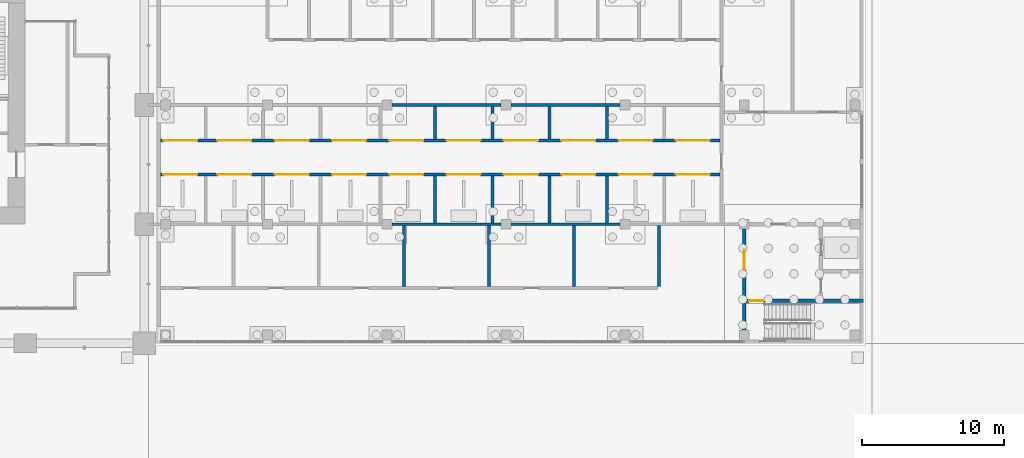
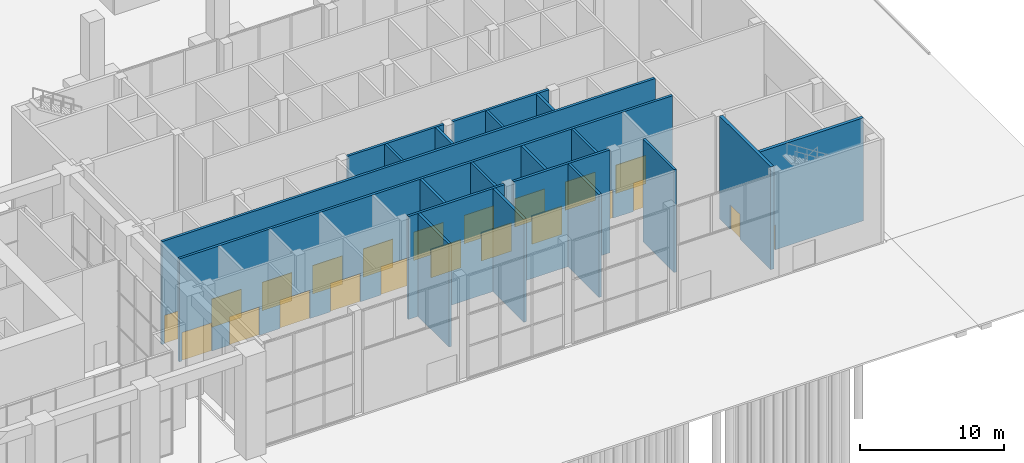
# One storey, part 24 of 46: 22 doors, 20 walls, 22 openings.
"""IFC4 building model written with IfcOpenShell, lengths in metres."""

from ifc_helpers import new_model, si_unit, direction, frame, frame_2d, origin, place, context, subcontext, project, spatial, rectangle, extrude, material, layer, layer_set, type_object, element, fill, save


model = new_model("IFC4")

# Units and contexts
model_context = context("Model", 3, precision=1e-05, world=origin(), true_north=direction((0.0, 1.0)))
body_context = subcontext(model_context, "Body", "Model", "MODEL_VIEW")
ifc_project = project(units=[si_unit("LENGTHUNIT", "METRE"), si_unit("AREAUNIT", "SQUARE_METRE"), si_unit("VOLUMEUNIT", "CUBIC_METRE"), si_unit("PLANEANGLEUNIT", "RADIAN"), si_unit("MASSUNIT", "GRAM", prefix="KILO")], contexts=[model_context])

# Site, building, storey
site_placement = place(None, origin())
site = spatial("IfcSite", under=ifc_project, at=site_placement, CompositionType="ELEMENT")
building_placement = place(site_placement, origin())
building = spatial("IfcBuilding", under=site, at=building_placement, Name="Vermilion Gate Residences", CompositionType="ELEMENT")
storey_placement = place(building_placement, origin())
storey = spatial("IfcBuildingStorey", under=building, at=storey_placement, Name="L00", CompositionType="ELEMENT", Elevation=0.0)

# Walls
ifc_material_1 = material(Name="Masonry", Category="masonry")
ifc_layer_1 = layer(ifc_material_1, 0.199951171875)
ifc_layer_set_1 = layer_set([ifc_layer_1], Name="PARTITION 200 MASONRY EI 60 (MARKET HALL)")
wall_type_1 = type_object("IfcWallType", Name="PARTITION 200 MASONRY EI 60 (MARKET HALL)", PredefinedType="PARTITIONING", material=ifc_layer_set_1)
wall_1_placement = place(storey_placement, frame((84.64990234375, 8.39990234375, 0.0), z_axis=(0.0, 0.0, 1.0), x_axis=(1.0, 0.0, 0.0)))
element("IfcWall", 1, at=wall_1_placement, inside=storey, type_object=wall_type_1, Name="Partition wall L00-13", PredefinedType="PARTITIONING", context=body_context, shape_type="SweptSolid", body=[
    extrude(rectangle(XDim=7.7001953125, YDim=0.199951171875, at=frame_2d((3.85009765625, 0.0))), origin(), (0.0, 0.0, 1.0), 8.699951171875),
])
wall_2_placement = place(storey_placement, frame((93.050048828125, 8.39990234375, 0.0), z_axis=(0.0, 0.0, 1.0), x_axis=(1.0, 0.0, 0.0)))
element("IfcWall", 2, at=wall_2_placement, inside=storey, type_object=wall_type_1, Name="Partition wall L00-14", PredefinedType="PARTITIONING", context=body_context, shape_type="SweptSolid", body=[
    extrude(rectangle(XDim=7.699951171875, YDim=0.199951171875, at=frame_2d((3.85009765625, 0.0))), origin(), (0.0, 0.0, 1.0), 8.699951171875),
])

# Wall, openings, doors
wall_3_placement = place(storey_placement, frame((68.35009765625, 11.89990234375, 0.0), z_axis=(0.0, 0.0, 1.0), x_axis=(1.0, 0.0, 0.0)))
wall_3 = element("IfcWall", 3, at=wall_3_placement, inside=storey, type_object=wall_type_1, Name="Partition wall L00-17", PredefinedType="PARTITIONING", context=body_context, shape_type="SweptSolid", body=[
    extrude(rectangle(XDim=39.449951171875, YDim=0.199951171875, at=frame_2d((19.72509765625, 0.0))), origin(), (0.0, 0.0, 1.0), 8.699951171875),
])
opening_1_placement = place(wall_3_placement, frame((0.199951171875, 0.0, 0.0)))
opening_1 = element("IfcOpeningElement", 4, at=opening_1_placement, cuts=wall_3, Name="Opening DH00007", PredefinedType="OPENING", context=body_context, shape_type="SweptSolid", body=[
    extrude(rectangle(XDim=2.39990234375, YDim=2.39990234375, at=frame_2d((1.199951171875, 1.199951171875))), frame((0.0, 0.10986328125, 0.0), z_axis=(0.0, -1.0, 0.0), x_axis=(1.0, 0.0, 0.0)), (0.0, 0.0, 1.0), 0.219970703125),
])
opening_2_placement = place(wall_3_placement, frame((4.010009765625, 0.0, 0.0)))
opening_2 = element("IfcOpeningElement", 5, at=opening_2_placement, cuts=wall_3, Name="Opening DH00009", PredefinedType="OPENING", context=body_context, shape_type="SweptSolid", body=[
    extrude(rectangle(XDim=2.39990234375, YDim=2.39990234375, at=frame_2d((1.199951171875, 1.199951171875))), frame((0.0, 0.10986328125, 0.0), z_axis=(0.0, -1.0, 0.0), x_axis=(1.0, 0.0, 0.0)), (0.0, 0.0, 1.0), 0.219970703125),
])
opening_3_placement = place(wall_3_placement, frame((8.050048828125, 0.0, 0.0)))
opening_3 = element("IfcOpeningElement", 6, at=opening_3_placement, cuts=wall_3, Name="Opening DH00011", PredefinedType="OPENING", context=body_context, shape_type="SweptSolid", body=[
    extrude(rectangle(XDim=2.39990234375, YDim=2.39990234375, at=frame_2d((1.199951171875, 1.199951171875))), frame((0.0, 0.10986328125, 0.0), z_axis=(0.0, -1.0, 0.0), x_axis=(1.0, 0.0, 0.0)), (0.0, 0.0, 1.0), 0.219970703125),
])
opening_4_placement = place(wall_3_placement, frame((12.090087890625, 0.0, 0.0)))
opening_4 = element("IfcOpeningElement", 7, at=opening_4_placement, cuts=wall_3, Name="Opening DH00013", PredefinedType="OPENING", context=body_context, shape_type="SweptSolid", body=[
    extrude(rectangle(XDim=2.39990234375, YDim=2.39990234375, at=frame_2d((1.199951171875, 1.199951171875))), frame((0.0, 0.10986328125, 0.0), z_axis=(0.0, -1.0, 0.0), x_axis=(1.0, 0.0, 0.0)), (0.0, 0.0, 1.0), 0.219970703125),
])
opening_5_placement = place(wall_3_placement, frame((16.1298828125, 0.0, 0.0)))
opening_5 = element("IfcOpeningElement", 8, at=opening_5_placement, cuts=wall_3, Name="Opening DH00015", PredefinedType="OPENING", context=body_context, shape_type="SweptSolid", body=[
    extrude(rectangle(XDim=2.39990234375, YDim=2.39990234375, at=frame_2d((1.199951171875, 1.199951171875))), frame((0.0, 0.10986328125, 0.0), z_axis=(0.0, -1.0, 0.0), x_axis=(1.0, 0.0, 0.0)), (0.0, 0.0, 1.0), 0.219970703125),
])
opening_6_placement = place(wall_3_placement, frame((20.169921875, 0.0, 0.0)))
opening_6 = element("IfcOpeningElement", 9, at=opening_6_placement, cuts=wall_3, Name="Opening DH00017", PredefinedType="OPENING", context=body_context, shape_type="SweptSolid", body=[
    extrude(rectangle(XDim=2.39990234375, YDim=2.39990234375, at=frame_2d((1.199951171875, 1.199951171875))), frame((0.0, 0.10986328125, 0.0), z_axis=(0.0, -1.0, 0.0), x_axis=(1.0, 0.0, 0.0)), (0.0, 0.0, 1.0), 0.219970703125),
])
opening_7_placement = place(wall_3_placement, frame((24.2099609375, 0.0, 0.0)))
opening_7 = element("IfcOpeningElement", 10, at=opening_7_placement, cuts=wall_3, Name="Opening DH00019", PredefinedType="OPENING", context=body_context, shape_type="SweptSolid", body=[
    extrude(rectangle(XDim=2.39990234375, YDim=2.39990234375, at=frame_2d((1.199951171875, 1.199951171875))), frame((0.0, 0.10986328125, 0.0), z_axis=(0.0, -1.0, 0.0), x_axis=(1.0, 0.0, 0.0)), (0.0, 0.0, 1.0), 0.219970703125),
])
opening_8_placement = place(wall_3_placement, frame((28.25, 0.0, 0.0)))
opening_8 = element("IfcOpeningElement", 11, at=opening_8_placement, cuts=wall_3, Name="Opening DH00021", PredefinedType="OPENING", context=body_context, shape_type="SweptSolid", body=[
    extrude(rectangle(XDim=2.39990234375, YDim=2.39990234375, at=frame_2d((1.199951171875, 1.199951171875))), frame((0.0, 0.10986328125, 0.0), z_axis=(0.0, -1.0, 0.0), x_axis=(1.0, 0.0, 0.0)), (0.0, 0.0, 1.0), 0.219970703125),
])
opening_9_placement = place(wall_3_placement, frame((32.2900390625, 0.0, 0.0)))
opening_9 = element("IfcOpeningElement", 12, at=opening_9_placement, cuts=wall_3, Name="Opening DH00023", PredefinedType="OPENING", context=body_context, shape_type="SweptSolid", body=[
    extrude(rectangle(XDim=2.39990234375, YDim=2.39990234375, at=frame_2d((1.199951171875, 1.199951171875))), frame((0.0, 0.10986328125, 0.0), z_axis=(0.0, -1.0, 0.0), x_axis=(1.0, 0.0, 0.0)), (0.0, 0.0, 1.0), 0.219970703125),
])
opening_10_placement = place(wall_3_placement, frame((36.330078125, 0.0, 0.0)))
opening_10 = element("IfcOpeningElement", 13, at=opening_10_placement, cuts=wall_3, Name="Opening DH00025", PredefinedType="OPENING", context=body_context, shape_type="SweptSolid", body=[
    extrude(rectangle(XDim=2.39990234375, YDim=2.39990234375, at=frame_2d((1.199951171875, 1.199951171875))), frame((0.0, 0.10986328125, 0.0), z_axis=(0.0, -1.0, 0.0), x_axis=(1.0, 0.0, 0.0)), (0.0, 0.0, 1.0), 0.219970703125),
])
ifc_material_2 = material(Name="Aluminium", Category="aluminium")
door_type_1 = type_object("IfcDoorType", Name="STALL ROLLER SHUTTER 2400 X 2400 (MARKET HALL)", OperationType="ROLLINGUP", PredefinedType="DOOR", material=ifc_material_2)
door_1_placement = place(opening_1_placement, origin())
door_1 = element("IfcDoor", 14, at=door_1_placement, inside=storey, type_object=door_type_1, Name="Stall roller shutter DH00007", OperationType="ROLLINGUP", OverallHeight=2.39990234375, OverallWidth=2.39990234375, PredefinedType="DOOR", context=body_context, shape_type="SweptSolid", body=[
    extrude(rectangle(XDim=2.39990234375, YDim=2.39990234375, at=frame_2d((1.199951171875, 1.199951171875))), frame((0.0, 0.02490234375, 0.0), z_axis=(0.0, -1.0, 0.0), x_axis=(1.0, 0.0, 0.0)), (0.0, 0.0, 1.0), 0.050048828125),
])
fill(opening_1, door_1)
door_2_placement = place(opening_2_placement, origin())
door_2 = element("IfcDoor", 15, at=door_2_placement, inside=storey, type_object=door_type_1, Name="Stall roller shutter DH00009", OperationType="ROLLINGUP", OverallHeight=2.39990234375, OverallWidth=2.39990234375, PredefinedType="DOOR", context=body_context, shape_type="SweptSolid", body=[
    extrude(rectangle(XDim=2.39990234375, YDim=2.39990234375, at=frame_2d((1.199951171875, 1.199951171875))), frame((0.0, 0.02490234375, 0.0), z_axis=(0.0, -1.0, 0.0), x_axis=(1.0, 0.0, 0.0)), (0.0, 0.0, 1.0), 0.050048828125),
])
fill(opening_2, door_2)
door_3_placement = place(opening_3_placement, origin())
door_3 = element("IfcDoor", 16, at=door_3_placement, inside=storey, type_object=door_type_1, Name="Stall roller shutter DH00011", OperationType="ROLLINGUP", OverallHeight=2.39990234375, OverallWidth=2.39990234375, PredefinedType="DOOR", context=body_context, shape_type="SweptSolid", body=[
    extrude(rectangle(XDim=2.39990234375, YDim=2.39990234375, at=frame_2d((1.199951171875, 1.199951171875))), frame((0.0, 0.02490234375, 0.0), z_axis=(0.0, -1.0, 0.0), x_axis=(1.0, 0.0, 0.0)), (0.0, 0.0, 1.0), 0.050048828125),
])
fill(opening_3, door_3)
door_4_placement = place(opening_4_placement, origin())
door_4 = element("IfcDoor", 17, at=door_4_placement, inside=storey, type_object=door_type_1, Name="Stall roller shutter DH00013", OperationType="ROLLINGUP", OverallHeight=2.39990234375, OverallWidth=2.39990234375, PredefinedType="DOOR", context=body_context, shape_type="SweptSolid", body=[
    extrude(rectangle(XDim=2.39990234375, YDim=2.39990234375, at=frame_2d((1.199951171875, 1.199951171875))), frame((0.0, 0.02490234375, 0.0), z_axis=(0.0, -1.0, 0.0), x_axis=(1.0, 0.0, 0.0)), (0.0, 0.0, 1.0), 0.050048828125),
])
fill(opening_4, door_4)
door_5_placement = place(opening_5_placement, origin())
door_5 = element("IfcDoor", 18, at=door_5_placement, inside=storey, type_object=door_type_1, Name="Stall roller shutter DH00015", OperationType="ROLLINGUP", OverallHeight=2.39990234375, OverallWidth=2.39990234375, PredefinedType="DOOR", context=body_context, shape_type="SweptSolid", body=[
    extrude(rectangle(XDim=2.39990234375, YDim=2.39990234375, at=frame_2d((1.199951171875, 1.199951171875))), frame((0.0, 0.02490234375, 0.0), z_axis=(0.0, -1.0, 0.0), x_axis=(1.0, 0.0, 0.0)), (0.0, 0.0, 1.0), 0.050048828125),
])
fill(opening_5, door_5)
door_6_placement = place(opening_6_placement, origin())
door_6 = element("IfcDoor", 19, at=door_6_placement, inside=storey, type_object=door_type_1, Name="Stall roller shutter DH00017", OperationType="ROLLINGUP", OverallHeight=2.39990234375, OverallWidth=2.39990234375, PredefinedType="DOOR", context=body_context, shape_type="SweptSolid", body=[
    extrude(rectangle(XDim=2.39990234375, YDim=2.39990234375, at=frame_2d((1.199951171875, 1.199951171875))), frame((0.0, 0.02490234375, 0.0), z_axis=(0.0, -1.0, 0.0), x_axis=(1.0, 0.0, 0.0)), (0.0, 0.0, 1.0), 0.050048828125),
])
fill(opening_6, door_6)
door_7_placement = place(opening_7_placement, origin())
door_7 = element("IfcDoor", 20, at=door_7_placement, inside=storey, type_object=door_type_1, Name="Stall roller shutter DH00019", OperationType="ROLLINGUP", OverallHeight=2.39990234375, OverallWidth=2.39990234375, PredefinedType="DOOR", context=body_context, shape_type="SweptSolid", body=[
    extrude(rectangle(XDim=2.39990234375, YDim=2.39990234375, at=frame_2d((1.199951171875, 1.199951171875))), frame((0.0, 0.02490234375, 0.0), z_axis=(0.0, -1.0, 0.0), x_axis=(1.0, 0.0, 0.0)), (0.0, 0.0, 1.0), 0.050048828125),
])
fill(opening_7, door_7)
door_8_placement = place(opening_8_placement, origin())
door_8 = element("IfcDoor", 21, at=door_8_placement, inside=storey, type_object=door_type_1, Name="Stall roller shutter DH00021", OperationType="ROLLINGUP", OverallHeight=2.39990234375, OverallWidth=2.39990234375, PredefinedType="DOOR", context=body_context, shape_type="SweptSolid", body=[
    extrude(rectangle(XDim=2.39990234375, YDim=2.39990234375, at=frame_2d((1.199951171875, 1.199951171875))), frame((0.0, 0.02490234375, 0.0), z_axis=(0.0, -1.0, 0.0), x_axis=(1.0, 0.0, 0.0)), (0.0, 0.0, 1.0), 0.050048828125),
])
fill(opening_8, door_8)
door_9_placement = place(opening_9_placement, origin())
door_9 = element("IfcDoor", 22, at=door_9_placement, inside=storey, type_object=door_type_1, Name="Stall roller shutter DH00023", OperationType="ROLLINGUP", OverallHeight=2.39990234375, OverallWidth=2.39990234375, PredefinedType="DOOR", context=body_context, shape_type="SweptSolid", body=[
    extrude(rectangle(XDim=2.39990234375, YDim=2.39990234375, at=frame_2d((1.199951171875, 1.199951171875))), frame((0.0, 0.02490234375, 0.0), z_axis=(0.0, -1.0, 0.0), x_axis=(1.0, 0.0, 0.0)), (0.0, 0.0, 1.0), 0.050048828125),
])
fill(opening_9, door_9)
door_10_placement = place(opening_10_placement, origin())
door_10 = element("IfcDoor", 23, at=door_10_placement, inside=storey, type_object=door_type_1, Name="Stall roller shutter DH00025", OperationType="ROLLINGUP", OverallHeight=2.39990234375, OverallWidth=2.39990234375, PredefinedType="DOOR", context=body_context, shape_type="SweptSolid", body=[
    extrude(rectangle(XDim=2.39990234375, YDim=2.39990234375, at=frame_2d((1.199951171875, 1.199951171875))), frame((0.0, 0.02490234375, 0.0), z_axis=(0.0, -1.0, 0.0), x_axis=(1.0, 0.0, 0.0)), (0.0, 0.0, 1.0), 0.050048828125),
])
fill(opening_10, door_10)

wall_4_placement = place(storey_placement, frame((68.35009765625, 14.300048828125, 0.0), z_axis=(0.0, 0.0, 1.0), x_axis=(1.0, 0.0, 0.0)))
wall_4 = element("IfcWall", 24, at=wall_4_placement, inside=storey, type_object=wall_type_1, Name="Partition wall L00-18", PredefinedType="PARTITIONING", context=body_context, shape_type="SweptSolid", body=[
    extrude(rectangle(XDim=39.449951171875, YDim=0.199951171875, at=frame_2d((19.72509765625, 0.0))), origin(), (0.0, 0.0, 1.0), 8.699951171875),
])
opening_11_placement = place(wall_4_placement, frame((0.199951171875, 0.0, 0.0)))
opening_11 = element("IfcOpeningElement", 25, at=opening_11_placement, cuts=wall_4, Name="Opening DH00008", PredefinedType="OPENING", context=body_context, shape_type="SweptSolid", body=[
    extrude(rectangle(XDim=2.39990234375, YDim=2.39990234375, at=frame_2d((1.199951171875, 1.199951171875))), frame((0.0, 0.10986328125, 0.0), z_axis=(0.0, -1.0, 0.0), x_axis=(1.0, 0.0, 0.0)), (0.0, 0.0, 1.0), 0.219970703125),
])
opening_12_placement = place(wall_4_placement, frame((4.010009765625, 0.0, 0.0)))
opening_12 = element("IfcOpeningElement", 26, at=opening_12_placement, cuts=wall_4, Name="Opening DH00010", PredefinedType="OPENING", context=body_context, shape_type="SweptSolid", body=[
    extrude(rectangle(XDim=2.39990234375, YDim=2.39990234375, at=frame_2d((1.199951171875, 1.199951171875))), frame((0.0, 0.10986328125, 0.0), z_axis=(0.0, -1.0, 0.0), x_axis=(1.0, 0.0, 0.0)), (0.0, 0.0, 1.0), 0.219970703125),
])
opening_13_placement = place(wall_4_placement, frame((8.050048828125, 0.0, 0.0)))
opening_13 = element("IfcOpeningElement", 27, at=opening_13_placement, cuts=wall_4, Name="Opening DH00012", PredefinedType="OPENING", context=body_context, shape_type="SweptSolid", body=[
    extrude(rectangle(XDim=2.39990234375, YDim=2.39990234375, at=frame_2d((1.199951171875, 1.199951171875))), frame((0.0, 0.10986328125, 0.0), z_axis=(0.0, -1.0, 0.0), x_axis=(1.0, 0.0, 0.0)), (0.0, 0.0, 1.0), 0.219970703125),
])
opening_14_placement = place(wall_4_placement, frame((12.090087890625, 0.0, 0.0)))
opening_14 = element("IfcOpeningElement", 28, at=opening_14_placement, cuts=wall_4, Name="Opening DH00014", PredefinedType="OPENING", context=body_context, shape_type="SweptSolid", body=[
    extrude(rectangle(XDim=2.39990234375, YDim=2.39990234375, at=frame_2d((1.199951171875, 1.199951171875))), frame((0.0, 0.10986328125, 0.0), z_axis=(0.0, -1.0, 0.0), x_axis=(1.0, 0.0, 0.0)), (0.0, 0.0, 1.0), 0.219970703125),
])
opening_15_placement = place(wall_4_placement, frame((16.1298828125, 0.0, 0.0)))
opening_15 = element("IfcOpeningElement", 29, at=opening_15_placement, cuts=wall_4, Name="Opening DH00016", PredefinedType="OPENING", context=body_context, shape_type="SweptSolid", body=[
    extrude(rectangle(XDim=2.39990234375, YDim=2.39990234375, at=frame_2d((1.199951171875, 1.199951171875))), frame((0.0, 0.10986328125, 0.0), z_axis=(0.0, -1.0, 0.0), x_axis=(1.0, 0.0, 0.0)), (0.0, 0.0, 1.0), 0.219970703125),
])
opening_16_placement = place(wall_4_placement, frame((20.169921875, 0.0, 0.0)))
opening_16 = element("IfcOpeningElement", 30, at=opening_16_placement, cuts=wall_4, Name="Opening DH00018", PredefinedType="OPENING", context=body_context, shape_type="SweptSolid", body=[
    extrude(rectangle(XDim=2.39990234375, YDim=2.39990234375, at=frame_2d((1.199951171875, 1.199951171875))), frame((0.0, 0.10986328125, 0.0), z_axis=(0.0, -1.0, 0.0), x_axis=(1.0, 0.0, 0.0)), (0.0, 0.0, 1.0), 0.219970703125),
])
opening_17_placement = place(wall_4_placement, frame((24.2099609375, 0.0, 0.0)))
opening_17 = element("IfcOpeningElement", 31, at=opening_17_placement, cuts=wall_4, Name="Opening DH00020", PredefinedType="OPENING", context=body_context, shape_type="SweptSolid", body=[
    extrude(rectangle(XDim=2.39990234375, YDim=2.39990234375, at=frame_2d((1.199951171875, 1.199951171875))), frame((0.0, 0.10986328125, 0.0), z_axis=(0.0, -1.0, 0.0), x_axis=(1.0, 0.0, 0.0)), (0.0, 0.0, 1.0), 0.219970703125),
])
opening_18_placement = place(wall_4_placement, frame((28.25, 0.0, 0.0)))
opening_18 = element("IfcOpeningElement", 32, at=opening_18_placement, cuts=wall_4, Name="Opening DH00022", PredefinedType="OPENING", context=body_context, shape_type="SweptSolid", body=[
    extrude(rectangle(XDim=2.39990234375, YDim=2.39990234375, at=frame_2d((1.199951171875, 1.199951171875))), frame((0.0, 0.10986328125, 0.0), z_axis=(0.0, -1.0, 0.0), x_axis=(1.0, 0.0, 0.0)), (0.0, 0.0, 1.0), 0.219970703125),
])
opening_19_placement = place(wall_4_placement, frame((32.2900390625, 0.0, 0.0)))
opening_19 = element("IfcOpeningElement", 33, at=opening_19_placement, cuts=wall_4, Name="Opening DH00024", PredefinedType="OPENING", context=body_context, shape_type="SweptSolid", body=[
    extrude(rectangle(XDim=2.39990234375, YDim=2.39990234375, at=frame_2d((1.199951171875, 1.199951171875))), frame((0.0, 0.10986328125, 0.0), z_axis=(0.0, -1.0, 0.0), x_axis=(1.0, 0.0, 0.0)), (0.0, 0.0, 1.0), 0.219970703125),
])
opening_20_placement = place(wall_4_placement, frame((36.330078125, 0.0, 0.0)))
opening_20 = element("IfcOpeningElement", 34, at=opening_20_placement, cuts=wall_4, Name="Opening DH00026", PredefinedType="OPENING", context=body_context, shape_type="SweptSolid", body=[
    extrude(rectangle(XDim=2.39990234375, YDim=2.39990234375, at=frame_2d((1.199951171875, 1.199951171875))), frame((0.0, 0.10986328125, 0.0), z_axis=(0.0, -1.0, 0.0), x_axis=(1.0, 0.0, 0.0)), (0.0, 0.0, 1.0), 0.219970703125),
])
door_11_placement = place(opening_11_placement, origin())
door_11 = element("IfcDoor", 35, at=door_11_placement, inside=storey, type_object=door_type_1, Name="Stall roller shutter DH00008", OperationType="ROLLINGUP", OverallHeight=2.39990234375, OverallWidth=2.39990234375, PredefinedType="DOOR", context=body_context, shape_type="SweptSolid", body=[
    extrude(rectangle(XDim=2.39990234375, YDim=2.39990234375, at=frame_2d((1.199951171875, 1.199951171875))), frame((0.0, 0.02490234375, 0.0), z_axis=(0.0, -1.0, 0.0), x_axis=(1.0, 0.0, 0.0)), (0.0, 0.0, 1.0), 0.050048828125),
])
fill(opening_11, door_11)
door_12_placement = place(opening_12_placement, origin())
door_12 = element("IfcDoor", 36, at=door_12_placement, inside=storey, type_object=door_type_1, Name="Stall roller shutter DH00010", OperationType="ROLLINGUP", OverallHeight=2.39990234375, OverallWidth=2.39990234375, PredefinedType="DOOR", context=body_context, shape_type="SweptSolid", body=[
    extrude(rectangle(XDim=2.39990234375, YDim=2.39990234375, at=frame_2d((1.199951171875, 1.199951171875))), frame((0.0, 0.02490234375, 0.0), z_axis=(0.0, -1.0, 0.0), x_axis=(1.0, 0.0, 0.0)), (0.0, 0.0, 1.0), 0.050048828125),
])
fill(opening_12, door_12)
door_13_placement = place(opening_13_placement, origin())
door_13 = element("IfcDoor", 37, at=door_13_placement, inside=storey, type_object=door_type_1, Name="Stall roller shutter DH00012", OperationType="ROLLINGUP", OverallHeight=2.39990234375, OverallWidth=2.39990234375, PredefinedType="DOOR", context=body_context, shape_type="SweptSolid", body=[
    extrude(rectangle(XDim=2.39990234375, YDim=2.39990234375, at=frame_2d((1.199951171875, 1.199951171875))), frame((0.0, 0.02490234375, 0.0), z_axis=(0.0, -1.0, 0.0), x_axis=(1.0, 0.0, 0.0)), (0.0, 0.0, 1.0), 0.050048828125),
])
fill(opening_13, door_13)
door_14_placement = place(opening_14_placement, origin())
door_14 = element("IfcDoor", 38, at=door_14_placement, inside=storey, type_object=door_type_1, Name="Stall roller shutter DH00014", OperationType="ROLLINGUP", OverallHeight=2.39990234375, OverallWidth=2.39990234375, PredefinedType="DOOR", context=body_context, shape_type="SweptSolid", body=[
    extrude(rectangle(XDim=2.39990234375, YDim=2.39990234375, at=frame_2d((1.199951171875, 1.199951171875))), frame((0.0, 0.02490234375, 0.0), z_axis=(0.0, -1.0, 0.0), x_axis=(1.0, 0.0, 0.0)), (0.0, 0.0, 1.0), 0.050048828125),
])
fill(opening_14, door_14)
door_15_placement = place(opening_15_placement, origin())
door_15 = element("IfcDoor", 39, at=door_15_placement, inside=storey, type_object=door_type_1, Name="Stall roller shutter DH00016", OperationType="ROLLINGUP", OverallHeight=2.39990234375, OverallWidth=2.39990234375, PredefinedType="DOOR", context=body_context, shape_type="SweptSolid", body=[
    extrude(rectangle(XDim=2.39990234375, YDim=2.39990234375, at=frame_2d((1.199951171875, 1.199951171875))), frame((0.0, 0.02490234375, 0.0), z_axis=(0.0, -1.0, 0.0), x_axis=(1.0, 0.0, 0.0)), (0.0, 0.0, 1.0), 0.050048828125),
])
fill(opening_15, door_15)
door_16_placement = place(opening_16_placement, origin())
door_16 = element("IfcDoor", 40, at=door_16_placement, inside=storey, type_object=door_type_1, Name="Stall roller shutter DH00018", OperationType="ROLLINGUP", OverallHeight=2.39990234375, OverallWidth=2.39990234375, PredefinedType="DOOR", context=body_context, shape_type="SweptSolid", body=[
    extrude(rectangle(XDim=2.39990234375, YDim=2.39990234375, at=frame_2d((1.199951171875, 1.199951171875))), frame((0.0, 0.02490234375, 0.0), z_axis=(0.0, -1.0, 0.0), x_axis=(1.0, 0.0, 0.0)), (0.0, 0.0, 1.0), 0.050048828125),
])
fill(opening_16, door_16)
door_17_placement = place(opening_17_placement, origin())
door_17 = element("IfcDoor", 41, at=door_17_placement, inside=storey, type_object=door_type_1, Name="Stall roller shutter DH00020", OperationType="ROLLINGUP", OverallHeight=2.39990234375, OverallWidth=2.39990234375, PredefinedType="DOOR", context=body_context, shape_type="SweptSolid", body=[
    extrude(rectangle(XDim=2.39990234375, YDim=2.39990234375, at=frame_2d((1.199951171875, 1.199951171875))), frame((0.0, 0.02490234375, 0.0), z_axis=(0.0, -1.0, 0.0), x_axis=(1.0, 0.0, 0.0)), (0.0, 0.0, 1.0), 0.050048828125),
])
fill(opening_17, door_17)
door_18_placement = place(opening_18_placement, origin())
door_18 = element("IfcDoor", 42, at=door_18_placement, inside=storey, type_object=door_type_1, Name="Stall roller shutter DH00022", OperationType="ROLLINGUP", OverallHeight=2.39990234375, OverallWidth=2.39990234375, PredefinedType="DOOR", context=body_context, shape_type="SweptSolid", body=[
    extrude(rectangle(XDim=2.39990234375, YDim=2.39990234375, at=frame_2d((1.199951171875, 1.199951171875))), frame((0.0, 0.02490234375, 0.0), z_axis=(0.0, -1.0, 0.0), x_axis=(1.0, 0.0, 0.0)), (0.0, 0.0, 1.0), 0.050048828125),
])
fill(opening_18, door_18)
door_19_placement = place(opening_19_placement, origin())
door_19 = element("IfcDoor", 43, at=door_19_placement, inside=storey, type_object=door_type_1, Name="Stall roller shutter DH00024", OperationType="ROLLINGUP", OverallHeight=2.39990234375, OverallWidth=2.39990234375, PredefinedType="DOOR", context=body_context, shape_type="SweptSolid", body=[
    extrude(rectangle(XDim=2.39990234375, YDim=2.39990234375, at=frame_2d((1.199951171875, 1.199951171875))), frame((0.0, 0.02490234375, 0.0), z_axis=(0.0, -1.0, 0.0), x_axis=(1.0, 0.0, 0.0)), (0.0, 0.0, 1.0), 0.050048828125),
])
fill(opening_19, door_19)
door_20_placement = place(opening_20_placement, origin())
door_20 = element("IfcDoor", 44, at=door_20_placement, inside=storey, type_object=door_type_1, Name="Stall roller shutter DH00026", OperationType="ROLLINGUP", OverallHeight=2.39990234375, OverallWidth=2.39990234375, PredefinedType="DOOR", context=body_context, shape_type="SweptSolid", body=[
    extrude(rectangle(XDim=2.39990234375, YDim=2.39990234375, at=frame_2d((1.199951171875, 1.199951171875))), frame((0.0, 0.02490234375, 0.0), z_axis=(0.0, -1.0, 0.0), x_axis=(1.0, 0.0, 0.0)), (0.0, 0.0, 1.0), 0.050048828125),
])
fill(opening_20, door_20)

# Walls
wall_5_placement = place(storey_placement, frame((84.64990234375, 16.800048828125, 0.0), z_axis=(0.0, 0.0, 1.0), x_axis=(1.0, 0.0, 0.0)))
element("IfcWall", 45, at=wall_5_placement, inside=storey, type_object=wall_type_1, Name="Partition wall L00-23", PredefinedType="PARTITIONING", context=body_context, shape_type="SweptSolid", body=[
    extrude(rectangle(XDim=7.7001953125, YDim=0.199951171875, at=frame_2d((3.85009765625, 0.0))), origin(), (0.0, 0.0, 1.0), 8.699951171875),
])
wall_6_placement = place(storey_placement, frame((93.050048828125, 16.800048828125, 0.0), z_axis=(0.0, 0.0, 1.0), x_axis=(1.0, 0.0, 0.0)))
element("IfcWall", 46, at=wall_6_placement, inside=storey, type_object=wall_type_1, Name="Partition wall L00-24", PredefinedType="PARTITIONING", context=body_context, shape_type="SweptSolid", body=[
    extrude(rectangle(XDim=7.699951171875, YDim=0.199951171875, at=frame_2d((3.85009765625, 0.0))), origin(), (0.0, 0.0, 1.0), 8.699951171875),
])
wall_7_placement = place(storey_placement, frame((85.5, 4.0, 0.0), z_axis=(0.0, 0.0, 1.0), x_axis=(0.0, 1.0, 0.0)))
element("IfcWall", 47, at=wall_7_placement, inside=storey, type_object=wall_type_1, Name="Partition wall L00-65", PredefinedType="PARTITIONING", context=body_context, shape_type="SweptSolid", body=[
    extrude(rectangle(XDim=4.300048828125, YDim=0.199951171875, at=frame_2d((2.14990234375, 0.0))), origin(), (0.0, 0.0, 1.0), 8.699951171875),
])
wall_8_placement = place(storey_placement, frame((87.699951171875, 8.5, 0.0), z_axis=(0.0, 0.0, 1.0), x_axis=(0.0, 1.0, 0.0)))
element("IfcWall", 48, at=wall_8_placement, inside=storey, type_object=wall_type_1, Name="Partition wall L00-68", PredefinedType="PARTITIONING", context=body_context, shape_type="SweptSolid", body=[
    extrude(rectangle(XDim=3.300048828125, YDim=0.199951171875, at=frame_2d((1.64990234375, 0.0))), origin(), (0.0, 0.0, 1.0), 8.699951171875),
])
wall_9_placement = place(storey_placement, frame((87.699951171875, 14.39990234375, 0.0), z_axis=(0.0, 0.0, 1.0), x_axis=(0.0, 1.0, 0.0)))
element("IfcWall", 49, at=wall_9_placement, inside=storey, type_object=wall_type_1, Name="Partition wall L00-69", PredefinedType="PARTITIONING", context=body_context, shape_type="SweptSolid", body=[
    extrude(rectangle(XDim=2.300048828125, YDim=0.199951171875, at=frame_2d((1.14990234375, 0.0))), origin(), (0.0, 0.0, 1.0), 8.699951171875),
])
wall_10_placement = place(storey_placement, frame((91.5, 4.0, 0.0), z_axis=(0.0, 0.0, 1.0), x_axis=(0.0, 1.0, 0.0)))
element("IfcWall", 50, at=wall_10_placement, inside=storey, type_object=wall_type_1, Name="Partition wall L00-71", PredefinedType="PARTITIONING", context=body_context, shape_type="SweptSolid", body=[
    extrude(rectangle(XDim=4.300048828125, YDim=0.199951171875, at=frame_2d((2.14990234375, 0.0))), origin(), (0.0, 0.0, 1.0), 8.699951171875),
])
wall_11_placement = place(storey_placement, frame((91.739990234375, 8.5, 0.0), z_axis=(0.0, 0.0, 1.0), x_axis=(0.0, 1.0, 0.0)))
element("IfcWall", 51, at=wall_11_placement, inside=storey, type_object=wall_type_1, Name="Partition wall L00-72", PredefinedType="PARTITIONING", context=body_context, shape_type="SweptSolid", body=[
    extrude(rectangle(XDim=3.300048828125, YDim=0.199951171875, at=frame_2d((1.64990234375, 0.0))), origin(), (0.0, 0.0, 1.0), 8.699951171875),
])
wall_12_placement = place(storey_placement, frame((91.739990234375, 14.39990234375, 0.0), z_axis=(0.0, 0.0, 1.0), x_axis=(0.0, 1.0, 0.0)))
element("IfcWall", 52, at=wall_12_placement, inside=storey, type_object=wall_type_1, Name="Partition wall L00-73", PredefinedType="PARTITIONING", context=body_context, shape_type="SweptSolid", body=[
    extrude(rectangle(XDim=2.300048828125, YDim=0.199951171875, at=frame_2d((1.14990234375, 0.0))), origin(), (0.0, 0.0, 1.0), 8.699951171875),
])
wall_13_placement = place(storey_placement, frame((95.780029296875, 8.5, 0.0), z_axis=(0.0, 0.0, 1.0), x_axis=(0.0, 1.0, 0.0)))
element("IfcWall", 53, at=wall_13_placement, inside=storey, type_object=wall_type_1, Name="Partition wall L00-76", PredefinedType="PARTITIONING", context=body_context, shape_type="SweptSolid", body=[
    extrude(rectangle(XDim=3.300048828125, YDim=0.199951171875, at=frame_2d((1.64990234375, 0.0))), origin(), (0.0, 0.0, 1.0), 8.699951171875),
])
wall_14_placement = place(storey_placement, frame((95.780029296875, 14.39990234375, 0.0), z_axis=(0.0, 0.0, 1.0), x_axis=(0.0, 1.0, 0.0)))
element("IfcWall", 54, at=wall_14_placement, inside=storey, type_object=wall_type_1, Name="Partition wall L00-77", PredefinedType="PARTITIONING", context=body_context, shape_type="SweptSolid", body=[
    extrude(rectangle(XDim=2.300048828125, YDim=0.199951171875, at=frame_2d((1.14990234375, 0.0))), origin(), (0.0, 0.0, 1.0), 8.699951171875),
])
wall_15_placement = place(storey_placement, frame((97.5, 4.0, 0.0), z_axis=(0.0, 0.0, 1.0), x_axis=(0.0, 1.0, 0.0)))
element("IfcWall", 55, at=wall_15_placement, inside=storey, type_object=wall_type_1, Name="Partition wall L00-79", PredefinedType="PARTITIONING", context=body_context, shape_type="SweptSolid", body=[
    extrude(rectangle(XDim=4.300048828125, YDim=0.199951171875, at=frame_2d((2.14990234375, 0.0))), origin(), (0.0, 0.0, 1.0), 8.699951171875),
])
wall_16_placement = place(storey_placement, frame((99.820068359375, 8.5, 0.0), z_axis=(0.0, 0.0, 1.0), x_axis=(0.0, 1.0, 0.0)))
element("IfcWall", 56, at=wall_16_placement, inside=storey, type_object=wall_type_1, Name="Partition wall L00-82", PredefinedType="PARTITIONING", context=body_context, shape_type="SweptSolid", body=[
    extrude(rectangle(XDim=3.300048828125, YDim=0.199951171875, at=frame_2d((1.64990234375, 0.0))), origin(), (0.0, 0.0, 1.0), 8.699951171875),
])
wall_17_placement = place(storey_placement, frame((99.820068359375, 14.39990234375, 0.0), z_axis=(0.0, 0.0, 1.0), x_axis=(0.0, 1.0, 0.0)))
element("IfcWall", 57, at=wall_17_placement, inside=storey, type_object=wall_type_1, Name="Partition wall L00-83", PredefinedType="PARTITIONING", context=body_context, shape_type="SweptSolid", body=[
    extrude(rectangle(XDim=2.300048828125, YDim=0.199951171875, at=frame_2d((1.14990234375, 0.0))), origin(), (0.0, 0.0, 1.0), 8.699951171875),
])
wall_18_placement = place(storey_placement, frame((103.5, 4.0, 0.0), z_axis=(0.0, 0.0, 1.0), x_axis=(0.0, 1.0, 0.0)))
element("IfcWall", 58, at=wall_18_placement, inside=storey, type_object=wall_type_1, Name="Partition wall L00-86", PredefinedType="PARTITIONING", context=body_context, shape_type="SweptSolid", body=[
    extrude(rectangle(XDim=4.300048828125, YDim=0.199951171875, at=frame_2d((2.14990234375, 0.0))), origin(), (0.0, 0.0, 1.0), 8.699951171875),
])

# Wall, opening, door
ifc_material_3 = material(Name="Concrete C45", Category="concrete")
ifc_layer_2 = layer(ifc_material_3, 0.25)
ifc_layer_set_2 = layer_set([ifc_layer_2], Name="RC CORE WALL 250 C45 (MARKET HALL)")
wall_type_2 = type_object("IfcWallType", Name="RC CORE WALL 250 C45 (MARKET HALL)", PredefinedType="SHEAR", material=ifc_layer_set_2)
wall_19_placement = place(storey_placement, frame((109.625, 3.0, 0.0), z_axis=(0.0, 0.0, 1.0), x_axis=(1.0, 0.0, 0.0)))
wall_19 = element("IfcWall", 59, at=wall_19_placement, inside=storey, type_object=wall_type_2, Name="Core wall L00-7", PredefinedType="SHEAR", context=body_context, shape_type="SweptSolid", body=[
    extrude(rectangle(XDim=8.27490234375, YDim=0.25, at=frame_2d((4.137451171875, 0.0))), origin(), (0.0, 0.0, 1.0), 8.699951171875),
])
opening_21_placement = place(wall_19_placement, frame((0.22509765625, 0.0, 0.0)))
opening_21 = element("IfcOpeningElement", 60, at=opening_21_placement, cuts=wall_19, Name="Opening DH00069", PredefinedType="OPENING", context=body_context, shape_type="SweptSolid", body=[
    extrude(rectangle(XDim=1.0, YDim=2.10009765625, at=frame_2d((0.5, 1.050048828125))), frame((0.0, 0.135009765625, 0.0), z_axis=(0.0, -1.0, 0.0), x_axis=(1.0, 0.0, 0.0)), (0.0, 0.0, 1.0), 0.27001953125),
])
ifc_material_4 = material(Name="Steel", Category="steel")
door_type_2 = type_object("IfcDoorType", Name="STAIR DOOR FD60 1000 X 2100 (MARKET HALL)", OperationType="SINGLE_SWING_LEFT", PredefinedType="DOOR", material=ifc_material_4)
door_21_placement = place(opening_21_placement, frame((1.0, 0.0, 0.0), z_axis=(0.0, 0.0, 1.0), x_axis=(-1.0, 0.0, 0.0)))
door_21 = element("IfcDoor", 61, at=door_21_placement, inside=storey, type_object=door_type_2, Name="Stair door DH00069", OperationType="SINGLE_SWING_LEFT", OverallHeight=2.10009765625, OverallWidth=1.0, PredefinedType="DOOR", context=body_context, shape_type="SweptSolid", body=[
    extrude(rectangle(XDim=1.0, YDim=2.10009765625, at=frame_2d((0.5, 1.050048828125))), frame((0.0, 0.02490234375, 0.0), z_axis=(0.0, -1.0, 0.0), x_axis=(1.0, 0.0, 0.0)), (0.0, 0.0, 1.0), 0.050048828125),
])
fill(opening_21, door_21)

wall_20_placement = place(storey_placement, frame((109.5, 0.949951171875, 0.0), z_axis=(0.0, 0.0, 1.0), x_axis=(0.0, 1.0, 0.0)))
wall_20 = element("IfcWall", 62, at=wall_20_placement, inside=storey, type_object=wall_type_2, Name="Core wall L00-92", PredefinedType="SHEAR", context=body_context, shape_type="SweptSolid", body=[
    extrude(rectangle(XDim=7.10009765625, YDim=0.25, at=frame_2d((3.550048828125, 0.0))), origin(), (0.0, 0.0, 1.0), 8.699951171875),
])
opening_22_placement = place(wall_20_placement, frame((4.25, 0.0, 0.0)))
opening_22 = element("IfcOpeningElement", 63, at=opening_22_placement, cuts=wall_20, Name="Opening DH00047", PredefinedType="OPENING", context=body_context, shape_type="SweptSolid", body=[
    extrude(rectangle(XDim=1.39990234375, YDim=2.10009765625, at=frame_2d((0.699951171875, 1.050048828125))), frame((0.0, 0.135009765625, 0.0), z_axis=(0.0, -1.0, 0.0), x_axis=(1.0, 0.0, 0.0)), (0.0, 0.0, 1.0), 0.27001953125),
])
ifc_material_5 = material(Name="Steel", Category="steel")
door_type_3 = type_object("IfcDoorType", Name="FIRE DOOR FD60 1400 X 2100 DOUBLE (MARKET HALL)", OperationType="DOUBLE_DOOR_SINGLE_SWING", PredefinedType="DOOR", material=ifc_material_5)
door_22_placement = place(opening_22_placement, frame((1.39990234375, 0.0, 0.0), z_axis=(0.0, 0.0, 1.0), x_axis=(-1.0, 0.0, 0.0)))
door_22 = element("IfcDoor", 64, at=door_22_placement, inside=storey, type_object=door_type_3, Name="Lobby fire door DH00047", OperationType="DOUBLE_DOOR_SINGLE_SWING", OverallHeight=2.10009765625, OverallWidth=1.39990234375, PredefinedType="DOOR", context=body_context, shape_type="SweptSolid", body=[
    extrude(rectangle(XDim=1.39990234375, YDim=2.10009765625, at=frame_2d((0.699951171875, 1.050048828125))), frame((0.0, 0.02490234375, 0.0), z_axis=(0.0, -1.0, 0.0), x_axis=(1.0, 0.0, 0.0)), (0.0, 0.0, 1.0), 0.050048828125),
])
fill(opening_22, door_22)

save(model, "model.ifc")
